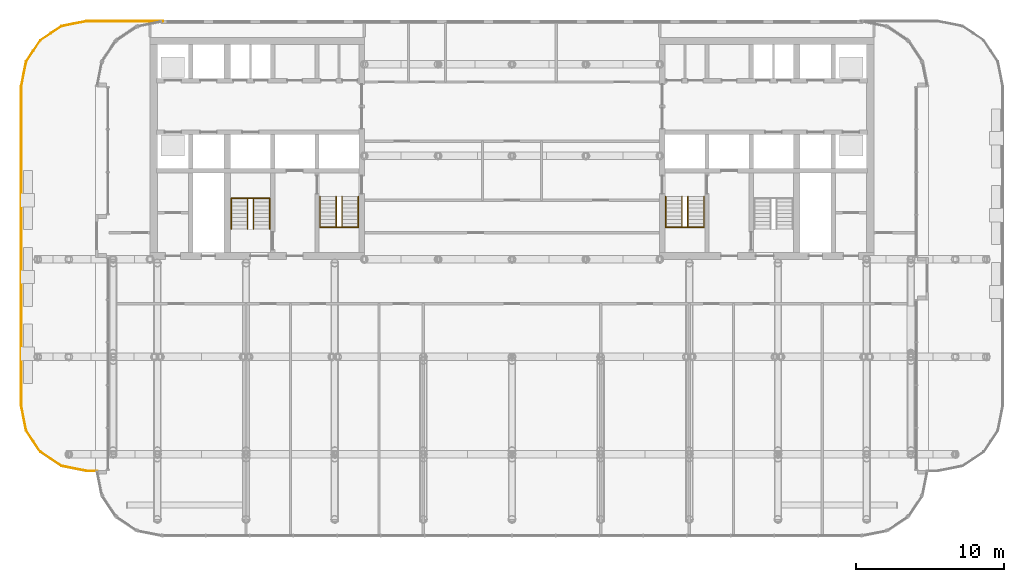
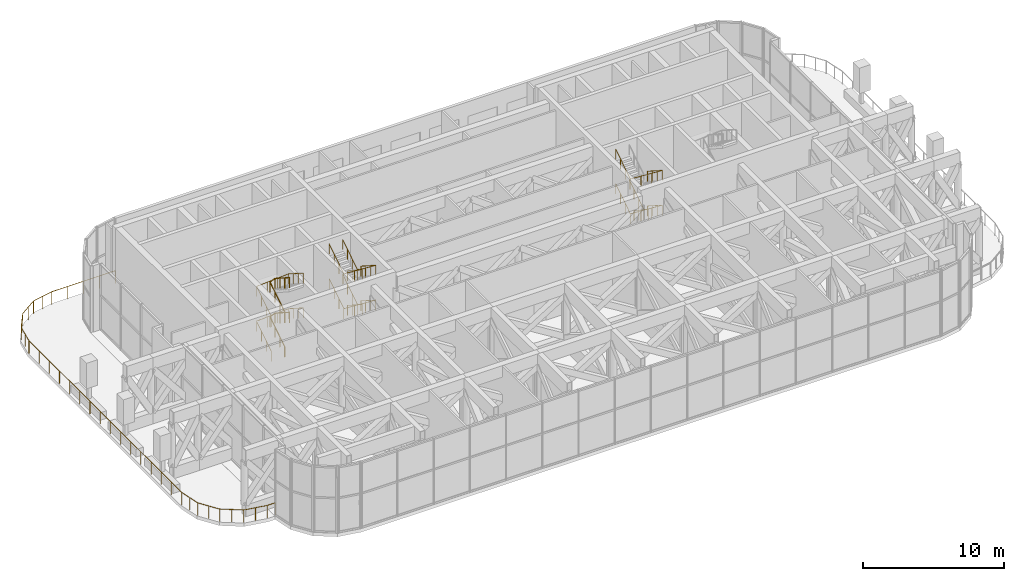
# One storey, part 22 of 25: 12 railings.
"""IFC4 building model written with IfcOpenShell, lengths in metres."""

from ifc_helpers import new_model, si_unit, direction, frame, origin, origin_2d, place, context, subcontext, project, spatial, circle, extrude, material, type_object, element, save


model = new_model("IFC4")

# Units and contexts
model_context = context("Model", 3, precision=1e-05, world=origin(), true_north=direction((0.0, 1.0)))
body_context = subcontext(model_context, "Body", "Model", "MODEL_VIEW")
ifc_project = project(units=[si_unit("LENGTHUNIT", "METRE"), si_unit("AREAUNIT", "SQUARE_METRE"), si_unit("VOLUMEUNIT", "CUBIC_METRE"), si_unit("PLANEANGLEUNIT", "RADIAN"), si_unit("MASSUNIT", "GRAM", prefix="KILO")], contexts=[model_context])

# Site, building, storey
site_placement = place(None, origin())
site = spatial("IfcSite", under=ifc_project, at=site_placement, CompositionType="ELEMENT")
building_placement = place(site_placement, origin())
building = spatial("IfcBuilding", under=site, at=building_placement, Name="Torana Hotel and Residences", CompositionType="ELEMENT")
storey_placement = place(building_placement, frame((0.0, 0.0, 106.800048828125)))
storey = spatial("IfcBuildingStorey", under=building, at=storey_placement, Name="L27", CompositionType="ELEMENT", Elevation=106.800048828125)

# Railings
ifc_material_1 = material(Name="Laminated glass balustrade with black handrail", Category="glass")
railing_type_1 = type_object("IfcRailingType", Name="GR1 BALCONY GUARD 1100 GLASS", PredefinedType="GUARDRAIL", material=ifc_material_1)
railing_1_placement = place(storey_placement, frame((-28.10107421875, -29.320068359375, 0.0)))
element("IfcRailing", 1, at=railing_1_placement, inside=storey, type_object=railing_type_1, Name="Terrace guard L27 2", PredefinedType="GUARDRAIL", context=body_context, shape_type="SweptSolid", body=[
    extrude(circle(Radius=0.02392578125, at=origin_2d()), frame((0.0, 0.0, 1.076171875), z_axis=(-1.0, 0.0, 0.0), x_axis=(0.0, -1.0, 0.0)), (0.0, 0.0, 1.0), 0.69091796875),
    extrude(circle(Radius=0.02392578125, at=origin_2d()), frame((-0.69091796875, 0.0, 1.076171875), z_axis=(-0.980791513817, 0.195058981912, 0.0), x_axis=(-0.195058981912, -0.980791513817, 0.0)), (0.0, 0.0, 1.0), 1.732177734375),
    extrude(circle(Radius=0.02392578125, at=origin_2d()), frame((-2.389892578125, 0.337890625, 1.076171875), z_axis=(-0.831461551283, 0.555582296999, 0.0), x_axis=(-0.555582296999, -0.831461551283, 0.0)), (0.0, 0.0, 1.0), 1.723876953125),
    extrude(circle(Radius=0.02392578125, at=origin_2d()), frame((-3.8232421875, 1.295654296875, 1.076171875), z_axis=(-0.555516881458, 0.831505258201, 0.0), x_axis=(-0.831505258201, -0.555516881458, 0.0)), (0.0, 0.0, 1.0), 1.72412109375),
    extrude(circle(Radius=0.02392578125, at=origin_2d()), frame((-4.781005859375, 2.729248046875, 1.076171875), z_axis=(-0.195085948833, 0.980786150273, 0.0), x_axis=(-0.980786150273, -0.195085948833, 0.0)), (0.0, 0.0, 1.0), 1.73193359375),
    extrude(circle(Radius=0.02392578125, at=origin_2d()), frame((-5.118896484375, 4.427978515625, 1.076171875), z_axis=(0.0, 1.0, 0.0), x_axis=(-1.0, 0.0, 0.0)), (0.0, 0.0, 1.0), 21.584228515625),
    extrude(circle(Radius=0.02392578125, at=origin_2d()), frame((-5.118896484375, 26.01220703125, 1.076171875), z_axis=(0.195085948833, 0.980786150273, 0.0), x_axis=(-0.980786150273, 0.195085948833, 0.0)), (0.0, 0.0, 1.0), 1.73193359375),
    extrude(circle(Radius=0.02392578125, at=origin_2d()), frame((-4.781005859375, 27.7109375, 1.076171875), z_axis=(0.555582296999, 0.831461551283, 0.0), x_axis=(-0.831461551283, 0.555582296999, 0.0)), (0.0, 0.0, 1.0), 1.723876953125),
    extrude(circle(Radius=0.02392578125, at=origin_2d()), frame((-3.8232421875, 29.144287109375, 1.076171875), z_axis=(0.831461551283, 0.555582296999, 0.0), x_axis=(-0.555582296999, 0.831461551283, 0.0)), (0.0, 0.0, 1.0), 1.723876953125),
    extrude(circle(Radius=0.02392578125, at=origin_2d()), frame((-2.389892578125, 30.10205078125, 1.076171875), z_axis=(0.980764541921, 0.195194552459, 0.0), x_axis=(-0.195194552459, 0.980764541921, 0.0)), (0.0, 0.0, 1.0), 1.732177734375),
    extrude(circle(Radius=0.02392578125, at=origin_2d()), frame((-0.69091796875, 30.440185546875, 1.076171875), z_axis=(1.0, 0.0, 0.0), x_axis=(0.0, 1.0, 0.0)), (0.0, 0.0, 1.0), 5.1669921875),
    extrude(circle(Radius=0.02099609375, at=origin_2d()), origin(), (0.0, 0.0, 1.0), 1.052001953125),
    extrude(circle(Radius=0.02099609375, at=origin_2d()), frame((-0.69091796875, 0.0, 0.0)), (0.0, 0.0, 1.0), 1.052001953125),
    extrude(circle(Radius=0.02099609375, at=origin_2d()), frame((-1.54052734375, 0.1689453125, 0.0)), (0.0, 0.0, 1.0), 1.052001953125),
    extrude(circle(Radius=0.02099609375, at=origin_2d()), frame((-2.389892578125, 0.337890625, 0.0)), (0.0, 0.0, 1.0), 1.052001953125),
    extrude(circle(Radius=0.02099609375, at=origin_2d()), frame((-3.1064453125, 0.81689453125, 0.0)), (0.0, 0.0, 1.0), 1.052001953125),
    extrude(circle(Radius=0.02099609375, at=origin_2d()), frame((-3.8232421875, 1.295654296875, 0.0)), (0.0, 0.0, 1.0), 1.052001953125),
    extrude(circle(Radius=0.02099609375, at=origin_2d()), frame((-4.30224609375, 2.012451171875, 0.0)), (0.0, 0.0, 1.0), 1.052001953125),
    extrude(circle(Radius=0.02099609375, at=origin_2d()), frame((-4.781005859375, 2.729248046875, 0.0)), (0.0, 0.0, 1.0), 1.052001953125),
    extrude(circle(Radius=0.02099609375, at=origin_2d()), frame((-4.949951171875, 3.57861328125, 0.0)), (0.0, 0.0, 1.0), 1.052001953125),
    extrude(circle(Radius=0.02099609375, at=origin_2d()), frame((-5.118896484375, 4.427978515625, 0.0)), (0.0, 0.0, 1.0), 1.052001953125),
    extrude(circle(Radius=0.02099609375, at=origin_2d()), frame((-5.118896484375, 5.866943359375, 0.0)), (0.0, 0.0, 1.0), 1.052001953125),
    extrude(circle(Radius=0.02099609375, at=origin_2d()), frame((-5.118896484375, 7.305908203125, 0.0)), (0.0, 0.0, 1.0), 1.052001953125),
    extrude(circle(Radius=0.02099609375, at=origin_2d()), frame((-5.118896484375, 8.744873046875, 0.0)), (0.0, 0.0, 1.0), 1.052001953125),
    extrude(circle(Radius=0.02099609375, at=origin_2d()), frame((-5.118896484375, 10.183837890625, 0.0)), (0.0, 0.0, 1.0), 1.052001953125),
    extrude(circle(Radius=0.02099609375, at=origin_2d()), frame((-5.118896484375, 11.622802734375, 0.0)), (0.0, 0.0, 1.0), 1.052001953125),
    extrude(circle(Radius=0.02099609375, at=origin_2d()), frame((-5.118896484375, 13.061767578125, 0.0)), (0.0, 0.0, 1.0), 1.052001953125),
    extrude(circle(Radius=0.02099609375, at=origin_2d()), frame((-5.118896484375, 14.500732421875, 0.0)), (0.0, 0.0, 1.0), 1.052001953125),
    extrude(circle(Radius=0.02099609375, at=origin_2d()), frame((-5.118896484375, 15.939453125, 0.0)), (0.0, 0.0, 1.0), 1.052001953125),
    extrude(circle(Radius=0.02099609375, at=origin_2d()), frame((-5.118896484375, 17.37841796875, 0.0)), (0.0, 0.0, 1.0), 1.052001953125),
    extrude(circle(Radius=0.02099609375, at=origin_2d()), frame((-5.118896484375, 18.8173828125, 0.0)), (0.0, 0.0, 1.0), 1.052001953125),
    extrude(circle(Radius=0.02099609375, at=origin_2d()), frame((-5.118896484375, 20.25634765625, 0.0)), (0.0, 0.0, 1.0), 1.052001953125),
    extrude(circle(Radius=0.02099609375, at=origin_2d()), frame((-5.118896484375, 21.6953125, 0.0)), (0.0, 0.0, 1.0), 1.052001953125),
    extrude(circle(Radius=0.02099609375, at=origin_2d()), frame((-5.118896484375, 23.13427734375, 0.0)), (0.0, 0.0, 1.0), 1.052001953125),
    extrude(circle(Radius=0.02099609375, at=origin_2d()), frame((-5.118896484375, 24.5732421875, 0.0)), (0.0, 0.0, 1.0), 1.052001953125),
    extrude(circle(Radius=0.02099609375, at=origin_2d()), frame((-5.118896484375, 26.01220703125, 0.0)), (0.0, 0.0, 1.0), 1.052001953125),
    extrude(circle(Radius=0.02099609375, at=origin_2d()), frame((-4.949951171875, 26.861572265625, 0.0)), (0.0, 0.0, 1.0), 1.052001953125),
    extrude(circle(Radius=0.02099609375, at=origin_2d()), frame((-4.781005859375, 27.7109375, 0.0)), (0.0, 0.0, 1.0), 1.052001953125),
    extrude(circle(Radius=0.02099609375, at=origin_2d()), frame((-4.30224609375, 28.427734375, 0.0)), (0.0, 0.0, 1.0), 1.052001953125),
    extrude(circle(Radius=0.02099609375, at=origin_2d()), frame((-3.8232421875, 29.144287109375, 0.0)), (0.0, 0.0, 1.0), 1.052001953125),
    extrude(circle(Radius=0.02099609375, at=origin_2d()), frame((-3.1064453125, 29.623046875, 0.0)), (0.0, 0.0, 1.0), 1.052001953125),
    extrude(circle(Radius=0.02099609375, at=origin_2d()), frame((-2.389892578125, 30.10205078125, 0.0)), (0.0, 0.0, 1.0), 1.052001953125),
    extrude(circle(Radius=0.02099609375, at=origin_2d()), frame((-1.54052734375, 30.27099609375, 0.0)), (0.0, 0.0, 1.0), 1.052001953125),
    extrude(circle(Radius=0.02099609375, at=origin_2d()), frame((-0.69091796875, 30.440185546875, 0.0)), (0.0, 0.0, 1.0), 1.052001953125),
    extrude(circle(Radius=0.02099609375, at=origin_2d()), frame((0.600830078125, 30.440185546875, 0.0)), (0.0, 0.0, 1.0), 1.052001953125),
    extrude(circle(Radius=0.02099609375, at=origin_2d()), frame((1.892578125, 30.440185546875, 0.0)), (0.0, 0.0, 1.0), 1.052001953125),
    extrude(circle(Radius=0.02099609375, at=origin_2d()), frame((3.184326171875, 30.440185546875, 0.0)), (0.0, 0.0, 1.0), 1.052001953125),
    extrude(circle(Radius=0.02099609375, at=origin_2d()), frame((4.47607421875, 30.440185546875, 0.0)), (0.0, 0.0, 1.0), 1.052001953125),
])
ifc_material_2 = material(Name="Stainless steel 316", Category="steel")
railing_type_2 = type_object("IfcRailingType", Name="STAIR HANDRAIL HR1 900", PredefinedType="HANDRAIL", material=ifc_material_2)
railing_2_placement = place(storey_placement, frame((-10.39990234375, -10.75, 0.166748046875)))
element("IfcRailing", 2, at=railing_2_placement, inside=storey, type_object=railing_type_2, Name="Handrail ST1 L27 O1", PredefinedType="HANDRAIL", context=body_context, shape_type="SweptSolid", body=[
    extrude(circle(Radius=0.02392578125, at=origin_2d()), frame((0.0, 0.0, 0.8759765625), z_axis=(0.0, -0.841903312325, 0.539628402418), x_axis=(1.0, 0.0, 0.0)), (0.0, 0.0, 1.0), 2.470703125),
    extrude(circle(Radius=0.02392578125, at=origin_2d()), frame((0.0, -2.080078125, 2.208984375), z_axis=(-0.997949899857, 0.0, 0.063999979493), x_axis=(0.0, -1.0, 0.0)), (0.0, 0.0, 1.0), 2.60546875),
    extrude(circle(Radius=0.02392578125, at=origin_2d()), frame((-2.60009765625, -2.080078125, 2.3759765625), z_axis=(0.0, 0.841903312325, 0.539628402418), x_axis=(-1.0, 0.0, 0.0)), (0.0, 0.0, 1.0), 2.470703125),
    extrude(circle(Radius=0.02099609375, at=origin_2d()), origin(), (0.0, 0.0, 1.0), 0.851806640625),
    extrude(circle(Radius=0.02099609375, at=origin_2d()), frame((0.0, -0.693359375, 0.4443359375)), (0.0, 0.0, 1.0), 0.851806640625),
    extrude(circle(Radius=0.02099609375, at=origin_2d()), frame((0.0, -1.38671875, 0.888916015625)), (0.0, 0.0, 1.0), 0.851806640625),
    extrude(circle(Radius=0.02099609375, at=origin_2d()), frame((0.0, -2.080078125, 1.333251953125)), (0.0, 0.0, 1.0), 0.851806640625),
    extrude(circle(Radius=0.02099609375, at=origin_2d()), frame((-0.86669921875, -2.080078125, 1.388916015625)), (0.0, 0.0, 1.0), 0.851806640625),
    extrude(circle(Radius=0.02099609375, at=origin_2d()), frame((-1.7333984375, -2.080078125, 1.4443359375)), (0.0, 0.0, 1.0), 0.851806640625),
    extrude(circle(Radius=0.02099609375, at=origin_2d()), frame((-2.60009765625, -2.080078125, 1.5)), (0.0, 0.0, 1.0), 0.851806640625),
    extrude(circle(Radius=0.02099609375, at=origin_2d()), frame((-2.60009765625, -1.38671875, 1.9443359375)), (0.0, 0.0, 1.0), 0.851806640625),
    extrude(circle(Radius=0.02099609375, at=origin_2d()), frame((-2.60009765625, -0.693359375, 2.388916015625)), (0.0, 0.0, 1.0), 0.851806640625),
    extrude(circle(Radius=0.02099609375, at=origin_2d()), frame((-2.60009765625, 0.0, 2.833251953125)), (0.0, 0.0, 1.0), 0.851806640625),
])
railing_3_placement = place(storey_placement, frame((-11.5, -10.75, 0.166748046875)))
element("IfcRailing", 3, at=railing_3_placement, inside=storey, type_object=railing_type_2, Name="Handrail ST1 L27 I1", PredefinedType="HANDRAIL", context=body_context, shape_type="SweptSolid", body=[
    extrude(circle(Radius=0.02392578125, at=origin_2d()), frame((0.0, 0.0, 0.8759765625), z_axis=(0.0, -0.841903312325, 0.539628402418), x_axis=(1.0, 0.0, 0.0)), (0.0, 0.0, 1.0), 2.470703125),
    extrude(circle(Radius=0.02392578125, at=origin_2d()), frame((0.0, -2.080078125, 2.208984375), z_axis=(-0.922976866191, 0.0, 0.384855433216), x_axis=(0.0, -1.0, 0.0)), (0.0, 0.0, 1.0), 0.433349609375),
    extrude(circle(Radius=0.02392578125, at=origin_2d()), frame((-0.39990234375, -2.080078125, 2.3759765625), z_axis=(0.0, 0.841903312325, 0.539628402418), x_axis=(-1.0, 0.0, 0.0)), (0.0, 0.0, 1.0), 2.470703125),
    extrude(circle(Radius=0.02099609375, at=origin_2d()), origin(), (0.0, 0.0, 1.0), 0.851806640625),
    extrude(circle(Radius=0.02099609375, at=origin_2d()), frame((0.0, -0.693359375, 0.4443359375)), (0.0, 0.0, 1.0), 0.851806640625),
    extrude(circle(Radius=0.02099609375, at=origin_2d()), frame((0.0, -1.38671875, 0.888916015625)), (0.0, 0.0, 1.0), 0.851806640625),
    extrude(circle(Radius=0.02099609375, at=origin_2d()), frame((0.0, -2.080078125, 1.333251953125)), (0.0, 0.0, 1.0), 0.851806640625),
    extrude(circle(Radius=0.02099609375, at=origin_2d()), frame((-0.39990234375, -2.080078125, 1.5)), (0.0, 0.0, 1.0), 0.851806640625),
    extrude(circle(Radius=0.02099609375, at=origin_2d()), frame((-0.39990234375, -1.38671875, 1.9443359375)), (0.0, 0.0, 1.0), 0.851806640625),
    extrude(circle(Radius=0.02099609375, at=origin_2d()), frame((-0.39990234375, -0.693359375, 2.388916015625)), (0.0, 0.0, 1.0), 0.851806640625),
    extrude(circle(Radius=0.02099609375, at=origin_2d()), frame((-0.39990234375, 0.0, 2.833251953125)), (0.0, 0.0, 1.0), 0.851806640625),
])
railing_4_placement = place(storey_placement, frame((-10.39990234375, -10.75, 3.166748046875)))
element("IfcRailing", 4, at=railing_4_placement, inside=storey, type_object=railing_type_2, Name="Handrail ST1 L27 O2", PredefinedType="HANDRAIL", context=body_context, shape_type="SweptSolid", body=[
    extrude(circle(Radius=0.02392578125, at=origin_2d()), frame((0.0, 0.0, 0.8759765625), z_axis=(0.0, -0.841903312325, 0.539628402418), x_axis=(1.0, 0.0, 0.0)), (0.0, 0.0, 1.0), 2.470703125),
    extrude(circle(Radius=0.02392578125, at=origin_2d()), frame((0.0, -2.080078125, 2.208984375), z_axis=(-0.997949899857, 0.0, 0.063999979493), x_axis=(0.0, -1.0, 0.0)), (0.0, 0.0, 1.0), 2.60546875),
    extrude(circle(Radius=0.02392578125, at=origin_2d()), frame((-2.60009765625, -2.080078125, 2.3759765625), z_axis=(0.0, 0.841903312325, 0.539628402418), x_axis=(-1.0, 0.0, 0.0)), (0.0, 0.0, 1.0), 2.470703125),
    extrude(circle(Radius=0.02099609375, at=origin_2d()), origin(), (0.0, 0.0, 1.0), 0.851806640625),
    extrude(circle(Radius=0.02099609375, at=origin_2d()), frame((0.0, -0.693359375, 0.4443359375)), (0.0, 0.0, 1.0), 0.851806640625),
    extrude(circle(Radius=0.02099609375, at=origin_2d()), frame((0.0, -1.38671875, 0.888916015625)), (0.0, 0.0, 1.0), 0.851806640625),
    extrude(circle(Radius=0.02099609375, at=origin_2d()), frame((0.0, -2.080078125, 1.333251953125)), (0.0, 0.0, 1.0), 0.851806640625),
    extrude(circle(Radius=0.02099609375, at=origin_2d()), frame((-0.86669921875, -2.080078125, 1.388916015625)), (0.0, 0.0, 1.0), 0.851806640625),
    extrude(circle(Radius=0.02099609375, at=origin_2d()), frame((-1.7333984375, -2.080078125, 1.4443359375)), (0.0, 0.0, 1.0), 0.851806640625),
    extrude(circle(Radius=0.02099609375, at=origin_2d()), frame((-2.60009765625, -2.080078125, 1.5)), (0.0, 0.0, 1.0), 0.851806640625),
    extrude(circle(Radius=0.02099609375, at=origin_2d()), frame((-2.60009765625, -1.38671875, 1.9443359375)), (0.0, 0.0, 1.0), 0.851806640625),
    extrude(circle(Radius=0.02099609375, at=origin_2d()), frame((-2.60009765625, -0.693359375, 2.388916015625)), (0.0, 0.0, 1.0), 0.851806640625),
    extrude(circle(Radius=0.02099609375, at=origin_2d()), frame((-2.60009765625, 0.0, 2.833251953125)), (0.0, 0.0, 1.0), 0.851806640625),
])
railing_5_placement = place(storey_placement, frame((-11.5, -10.75, 3.166748046875)))
element("IfcRailing", 5, at=railing_5_placement, inside=storey, type_object=railing_type_2, Name="Handrail ST1 L27 I2", PredefinedType="HANDRAIL", context=body_context, shape_type="SweptSolid", body=[
    extrude(circle(Radius=0.02392578125, at=origin_2d()), frame((0.0, 0.0, 0.8759765625), z_axis=(0.0, -0.841903312325, 0.539628402418), x_axis=(1.0, 0.0, 0.0)), (0.0, 0.0, 1.0), 2.470703125),
    extrude(circle(Radius=0.02392578125, at=origin_2d()), frame((0.0, -2.080078125, 2.208984375), z_axis=(-0.922976866191, 0.0, 0.384855433216), x_axis=(0.0, -1.0, 0.0)), (0.0, 0.0, 1.0), 0.433349609375),
    extrude(circle(Radius=0.02392578125, at=origin_2d()), frame((-0.39990234375, -2.080078125, 2.3759765625), z_axis=(0.0, 0.841903312325, 0.539628402418), x_axis=(-1.0, 0.0, 0.0)), (0.0, 0.0, 1.0), 2.470703125),
    extrude(circle(Radius=0.02099609375, at=origin_2d()), origin(), (0.0, 0.0, 1.0), 0.851806640625),
    extrude(circle(Radius=0.02099609375, at=origin_2d()), frame((0.0, -0.693359375, 0.4443359375)), (0.0, 0.0, 1.0), 0.851806640625),
    extrude(circle(Radius=0.02099609375, at=origin_2d()), frame((0.0, -1.38671875, 0.888916015625)), (0.0, 0.0, 1.0), 0.851806640625),
    extrude(circle(Radius=0.02099609375, at=origin_2d()), frame((0.0, -2.080078125, 1.333251953125)), (0.0, 0.0, 1.0), 0.851806640625),
    extrude(circle(Radius=0.02099609375, at=origin_2d()), frame((-0.39990234375, -2.080078125, 1.5)), (0.0, 0.0, 1.0), 0.851806640625),
    extrude(circle(Radius=0.02099609375, at=origin_2d()), frame((-0.39990234375, -1.38671875, 1.9443359375)), (0.0, 0.0, 1.0), 0.851806640625),
    extrude(circle(Radius=0.02099609375, at=origin_2d()), frame((-0.39990234375, -0.693359375, 2.388916015625)), (0.0, 0.0, 1.0), 0.851806640625),
    extrude(circle(Radius=0.02099609375, at=origin_2d()), frame((-0.39990234375, 0.0, 2.833251953125)), (0.0, 0.0, 1.0), 0.851806640625),
])
railing_6_placement = place(storey_placement, frame((-19.0, -12.949951171875, 0.166748046875)))
element("IfcRailing", 6, at=railing_6_placement, inside=storey, type_object=railing_type_2, Name="Handrail ST2 L27 O1", PredefinedType="HANDRAIL", context=body_context, shape_type="SweptSolid", body=[
    extrude(circle(Radius=0.02392578125, at=origin_2d()), frame((0.0, 0.0, 0.8759765625), z_axis=(0.0, 0.84187453394, 0.539673298491), x_axis=(-1.0, 0.0, 0.0)), (0.0, 0.0, 1.0), 2.470458984375),
    extrude(circle(Radius=0.02392578125, at=origin_2d()), frame((0.0, 2.079833984375, 2.208984375), z_axis=(0.997949899857, 0.0, 0.063999979493), x_axis=(0.0, 1.0, 0.0)), (0.0, 0.0, 1.0), 2.60546875),
    extrude(circle(Radius=0.02392578125, at=origin_2d()), frame((2.60009765625, 2.079833984375, 2.3759765625), z_axis=(0.0, -0.84187453394, 0.539673298491), x_axis=(1.0, 0.0, 0.0)), (0.0, 0.0, 1.0), 2.470458984375),
    extrude(circle(Radius=0.02099609375, at=origin_2d()), origin(), (0.0, 0.0, 1.0), 0.851806640625),
    extrude(circle(Radius=0.02099609375, at=origin_2d()), frame((0.0, 0.693359375, 0.4443359375)), (0.0, 0.0, 1.0), 0.851806640625),
    extrude(circle(Radius=0.02099609375, at=origin_2d()), frame((0.0, 1.386474609375, 0.888916015625)), (0.0, 0.0, 1.0), 0.851806640625),
    extrude(circle(Radius=0.02099609375, at=origin_2d()), frame((0.0, 2.079833984375, 1.333251953125)), (0.0, 0.0, 1.0), 0.851806640625),
    extrude(circle(Radius=0.02099609375, at=origin_2d()), frame((0.86669921875, 2.079833984375, 1.388916015625)), (0.0, 0.0, 1.0), 0.851806640625),
    extrude(circle(Radius=0.02099609375, at=origin_2d()), frame((1.7333984375, 2.079833984375, 1.4443359375)), (0.0, 0.0, 1.0), 0.851806640625),
    extrude(circle(Radius=0.02099609375, at=origin_2d()), frame((2.60009765625, 2.079833984375, 1.5)), (0.0, 0.0, 1.0), 0.851806640625),
    extrude(circle(Radius=0.02099609375, at=origin_2d()), frame((2.60009765625, 1.386474609375, 1.9443359375)), (0.0, 0.0, 1.0), 0.851806640625),
    extrude(circle(Radius=0.02099609375, at=origin_2d()), frame((2.60009765625, 0.693359375, 2.388916015625)), (0.0, 0.0, 1.0), 0.851806640625),
    extrude(circle(Radius=0.02099609375, at=origin_2d()), frame((2.60009765625, 0.0, 2.833251953125)), (0.0, 0.0, 1.0), 0.851806640625),
])
railing_7_placement = place(storey_placement, frame((-17.89990234375, -12.949951171875, 0.166748046875)))
element("IfcRailing", 7, at=railing_7_placement, inside=storey, type_object=railing_type_2, Name="Handrail ST2 L27 I1", PredefinedType="HANDRAIL", context=body_context, shape_type="SweptSolid", body=[
    extrude(circle(Radius=0.02392578125, at=origin_2d()), frame((0.0, 0.0, 0.8759765625), z_axis=(0.0, 0.84187453394, 0.539673298491), x_axis=(-1.0, 0.0, 0.0)), (0.0, 0.0, 1.0), 2.470458984375),
    extrude(circle(Radius=0.02392578125, at=origin_2d()), frame((0.0, 2.079833984375, 2.208984375), z_axis=(0.922976866191, 0.0, 0.384855433216), x_axis=(0.0, 1.0, 0.0)), (0.0, 0.0, 1.0), 0.433349609375),
    extrude(circle(Radius=0.02392578125, at=origin_2d()), frame((0.39990234375, 2.079833984375, 2.3759765625), z_axis=(0.0, -0.84187453394, 0.539673298491), x_axis=(1.0, 0.0, 0.0)), (0.0, 0.0, 1.0), 2.470458984375),
    extrude(circle(Radius=0.02099609375, at=origin_2d()), origin(), (0.0, 0.0, 1.0), 0.851806640625),
    extrude(circle(Radius=0.02099609375, at=origin_2d()), frame((0.0, 0.693359375, 0.4443359375)), (0.0, 0.0, 1.0), 0.851806640625),
    extrude(circle(Radius=0.02099609375, at=origin_2d()), frame((0.0, 1.386474609375, 0.888916015625)), (0.0, 0.0, 1.0), 0.851806640625),
    extrude(circle(Radius=0.02099609375, at=origin_2d()), frame((0.0, 2.079833984375, 1.333251953125)), (0.0, 0.0, 1.0), 0.851806640625),
    extrude(circle(Radius=0.02099609375, at=origin_2d()), frame((0.39990234375, 2.079833984375, 1.5)), (0.0, 0.0, 1.0), 0.851806640625),
    extrude(circle(Radius=0.02099609375, at=origin_2d()), frame((0.39990234375, 1.386474609375, 1.9443359375)), (0.0, 0.0, 1.0), 0.851806640625),
    extrude(circle(Radius=0.02099609375, at=origin_2d()), frame((0.39990234375, 0.693359375, 2.388916015625)), (0.0, 0.0, 1.0), 0.851806640625),
    extrude(circle(Radius=0.02099609375, at=origin_2d()), frame((0.39990234375, 0.0, 2.833251953125)), (0.0, 0.0, 1.0), 0.851806640625),
])
railing_8_placement = place(storey_placement, frame((-19.0, -12.949951171875, 3.166748046875)))
element("IfcRailing", 8, at=railing_8_placement, inside=storey, type_object=railing_type_2, Name="Handrail ST2 L27 O2", PredefinedType="HANDRAIL", context=body_context, shape_type="SweptSolid", body=[
    extrude(circle(Radius=0.02392578125, at=origin_2d()), frame((0.0, 0.0, 0.8759765625), z_axis=(0.0, 0.84187453394, 0.539673298491), x_axis=(-1.0, 0.0, 0.0)), (0.0, 0.0, 1.0), 2.470458984375),
    extrude(circle(Radius=0.02392578125, at=origin_2d()), frame((0.0, 2.079833984375, 2.208984375), z_axis=(0.997949899857, 0.0, 0.063999979493), x_axis=(0.0, 1.0, 0.0)), (0.0, 0.0, 1.0), 2.60546875),
    extrude(circle(Radius=0.02392578125, at=origin_2d()), frame((2.60009765625, 2.079833984375, 2.3759765625), z_axis=(0.0, -0.84187453394, 0.539673298491), x_axis=(1.0, 0.0, 0.0)), (0.0, 0.0, 1.0), 2.470458984375),
    extrude(circle(Radius=0.02099609375, at=origin_2d()), origin(), (0.0, 0.0, 1.0), 0.851806640625),
    extrude(circle(Radius=0.02099609375, at=origin_2d()), frame((0.0, 0.693359375, 0.4443359375)), (0.0, 0.0, 1.0), 0.851806640625),
    extrude(circle(Radius=0.02099609375, at=origin_2d()), frame((0.0, 1.386474609375, 0.888916015625)), (0.0, 0.0, 1.0), 0.851806640625),
    extrude(circle(Radius=0.02099609375, at=origin_2d()), frame((0.0, 2.079833984375, 1.333251953125)), (0.0, 0.0, 1.0), 0.851806640625),
    extrude(circle(Radius=0.02099609375, at=origin_2d()), frame((0.86669921875, 2.079833984375, 1.388916015625)), (0.0, 0.0, 1.0), 0.851806640625),
    extrude(circle(Radius=0.02099609375, at=origin_2d()), frame((1.7333984375, 2.079833984375, 1.4443359375)), (0.0, 0.0, 1.0), 0.851806640625),
    extrude(circle(Radius=0.02099609375, at=origin_2d()), frame((2.60009765625, 2.079833984375, 1.5)), (0.0, 0.0, 1.0), 0.851806640625),
    extrude(circle(Radius=0.02099609375, at=origin_2d()), frame((2.60009765625, 1.386474609375, 1.9443359375)), (0.0, 0.0, 1.0), 0.851806640625),
    extrude(circle(Radius=0.02099609375, at=origin_2d()), frame((2.60009765625, 0.693359375, 2.388916015625)), (0.0, 0.0, 1.0), 0.851806640625),
    extrude(circle(Radius=0.02099609375, at=origin_2d()), frame((2.60009765625, 0.0, 2.833251953125)), (0.0, 0.0, 1.0), 0.851806640625),
])
railing_9_placement = place(storey_placement, frame((-17.89990234375, -12.949951171875, 3.166748046875)))
element("IfcRailing", 9, at=railing_9_placement, inside=storey, type_object=railing_type_2, Name="Handrail ST2 L27 I2", PredefinedType="HANDRAIL", context=body_context, shape_type="SweptSolid", body=[
    extrude(circle(Radius=0.02392578125, at=origin_2d()), frame((0.0, 0.0, 0.8759765625), z_axis=(0.0, 0.84187453394, 0.539673298491), x_axis=(-1.0, 0.0, 0.0)), (0.0, 0.0, 1.0), 2.470458984375),
    extrude(circle(Radius=0.02392578125, at=origin_2d()), frame((0.0, 2.079833984375, 2.208984375), z_axis=(0.922976866191, 0.0, 0.384855433216), x_axis=(0.0, 1.0, 0.0)), (0.0, 0.0, 1.0), 0.433349609375),
    extrude(circle(Radius=0.02392578125, at=origin_2d()), frame((0.39990234375, 2.079833984375, 2.3759765625), z_axis=(0.0, -0.84187453394, 0.539673298491), x_axis=(1.0, 0.0, 0.0)), (0.0, 0.0, 1.0), 2.470458984375),
    extrude(circle(Radius=0.02099609375, at=origin_2d()), origin(), (0.0, 0.0, 1.0), 0.851806640625),
    extrude(circle(Radius=0.02099609375, at=origin_2d()), frame((0.0, 0.693359375, 0.4443359375)), (0.0, 0.0, 1.0), 0.851806640625),
    extrude(circle(Radius=0.02099609375, at=origin_2d()), frame((0.0, 1.386474609375, 0.888916015625)), (0.0, 0.0, 1.0), 0.851806640625),
    extrude(circle(Radius=0.02099609375, at=origin_2d()), frame((0.0, 2.079833984375, 1.333251953125)), (0.0, 0.0, 1.0), 0.851806640625),
    extrude(circle(Radius=0.02099609375, at=origin_2d()), frame((0.39990234375, 2.079833984375, 1.5)), (0.0, 0.0, 1.0), 0.851806640625),
    extrude(circle(Radius=0.02099609375, at=origin_2d()), frame((0.39990234375, 1.386474609375, 1.9443359375)), (0.0, 0.0, 1.0), 0.851806640625),
    extrude(circle(Radius=0.02099609375, at=origin_2d()), frame((0.39990234375, 0.693359375, 2.388916015625)), (0.0, 0.0, 1.0), 0.851806640625),
    extrude(circle(Radius=0.02099609375, at=origin_2d()), frame((0.39990234375, 0.0, 2.833251953125)), (0.0, 0.0, 1.0), 0.851806640625),
])
railing_10_placement = place(storey_placement, frame((13.0, -10.75, 0.166748046875)))
element("IfcRailing", 10, at=railing_10_placement, inside=storey, type_object=railing_type_2, Name="Handrail ST3 L27 O1", PredefinedType="HANDRAIL", context=body_context, shape_type="SweptSolid", body=[
    extrude(circle(Radius=0.02392578125, at=origin_2d()), frame((0.0, 0.0, 0.8759765625), z_axis=(0.0, -0.841903312325, 0.539628402418), x_axis=(1.0, 0.0, 0.0)), (0.0, 0.0, 1.0), 2.470703125),
    extrude(circle(Radius=0.02392578125, at=origin_2d()), frame((0.0, -2.080078125, 2.208984375), z_axis=(-0.997949899857, 0.0, 0.063999979493), x_axis=(0.0, -1.0, 0.0)), (0.0, 0.0, 1.0), 2.60546875),
    extrude(circle(Radius=0.02392578125, at=origin_2d()), frame((-2.60009765625, -2.080078125, 2.3759765625), z_axis=(0.0, 0.841903312325, 0.539628402418), x_axis=(-1.0, 0.0, 0.0)), (0.0, 0.0, 1.0), 2.470703125),
    extrude(circle(Radius=0.02099609375, at=origin_2d()), origin(), (0.0, 0.0, 1.0), 0.851806640625),
    extrude(circle(Radius=0.02099609375, at=origin_2d()), frame((0.0, -0.693359375, 0.4443359375)), (0.0, 0.0, 1.0), 0.851806640625),
    extrude(circle(Radius=0.02099609375, at=origin_2d()), frame((0.0, -1.38671875, 0.888916015625)), (0.0, 0.0, 1.0), 0.851806640625),
    extrude(circle(Radius=0.02099609375, at=origin_2d()), frame((0.0, -2.080078125, 1.333251953125)), (0.0, 0.0, 1.0), 0.851806640625),
    extrude(circle(Radius=0.02099609375, at=origin_2d()), frame((-0.86669921875, -2.080078125, 1.388916015625)), (0.0, 0.0, 1.0), 0.851806640625),
    extrude(circle(Radius=0.02099609375, at=origin_2d()), frame((-1.7333984375, -2.080078125, 1.4443359375)), (0.0, 0.0, 1.0), 0.851806640625),
    extrude(circle(Radius=0.02099609375, at=origin_2d()), frame((-2.60009765625, -2.080078125, 1.5)), (0.0, 0.0, 1.0), 0.851806640625),
    extrude(circle(Radius=0.02099609375, at=origin_2d()), frame((-2.60009765625, -1.38671875, 1.9443359375)), (0.0, 0.0, 1.0), 0.851806640625),
    extrude(circle(Radius=0.02099609375, at=origin_2d()), frame((-2.60009765625, -0.693359375, 2.388916015625)), (0.0, 0.0, 1.0), 0.851806640625),
    extrude(circle(Radius=0.02099609375, at=origin_2d()), frame((-2.60009765625, 0.0, 2.833251953125)), (0.0, 0.0, 1.0), 0.851806640625),
])
railing_11_placement = place(storey_placement, frame((11.89990234375, -10.75, 0.166748046875)))
element("IfcRailing", 11, at=railing_11_placement, inside=storey, type_object=railing_type_2, Name="Handrail ST3 L27 I1", PredefinedType="HANDRAIL", context=body_context, shape_type="SweptSolid", body=[
    extrude(circle(Radius=0.02392578125, at=origin_2d()), frame((0.0, 0.0, 0.8759765625), z_axis=(0.0, -0.841903312325, 0.539628402418), x_axis=(1.0, 0.0, 0.0)), (0.0, 0.0, 1.0), 2.470703125),
    extrude(circle(Radius=0.02392578125, at=origin_2d()), frame((0.0, -2.080078125, 2.208984375), z_axis=(-0.922976866191, 0.0, 0.384855433216), x_axis=(0.0, -1.0, 0.0)), (0.0, 0.0, 1.0), 0.433349609375),
    extrude(circle(Radius=0.02392578125, at=origin_2d()), frame((-0.39990234375, -2.080078125, 2.3759765625), z_axis=(0.0, 0.841903312325, 0.539628402418), x_axis=(-1.0, 0.0, 0.0)), (0.0, 0.0, 1.0), 2.470703125),
    extrude(circle(Radius=0.02099609375, at=origin_2d()), origin(), (0.0, 0.0, 1.0), 0.851806640625),
    extrude(circle(Radius=0.02099609375, at=origin_2d()), frame((0.0, -0.693359375, 0.4443359375)), (0.0, 0.0, 1.0), 0.851806640625),
    extrude(circle(Radius=0.02099609375, at=origin_2d()), frame((0.0, -1.38671875, 0.888916015625)), (0.0, 0.0, 1.0), 0.851806640625),
    extrude(circle(Radius=0.02099609375, at=origin_2d()), frame((0.0, -2.080078125, 1.333251953125)), (0.0, 0.0, 1.0), 0.851806640625),
    extrude(circle(Radius=0.02099609375, at=origin_2d()), frame((-0.39990234375, -2.080078125, 1.5)), (0.0, 0.0, 1.0), 0.851806640625),
    extrude(circle(Radius=0.02099609375, at=origin_2d()), frame((-0.39990234375, -1.38671875, 1.9443359375)), (0.0, 0.0, 1.0), 0.851806640625),
    extrude(circle(Radius=0.02099609375, at=origin_2d()), frame((-0.39990234375, -0.693359375, 2.388916015625)), (0.0, 0.0, 1.0), 0.851806640625),
    extrude(circle(Radius=0.02099609375, at=origin_2d()), frame((-0.39990234375, 0.0, 2.833251953125)), (0.0, 0.0, 1.0), 0.851806640625),
])
railing_12_placement = place(storey_placement, frame((13.0, -10.75, 3.166748046875)))
element("IfcRailing", 12, at=railing_12_placement, inside=storey, type_object=railing_type_2, Name="Handrail ST3 L27 O2", PredefinedType="HANDRAIL", context=body_context, shape_type="SweptSolid", body=[
    extrude(circle(Radius=0.02392578125, at=origin_2d()), frame((0.0, 0.0, 0.8759765625), z_axis=(0.0, -0.841903312325, 0.539628402418), x_axis=(1.0, 0.0, 0.0)), (0.0, 0.0, 1.0), 2.470703125),
    extrude(circle(Radius=0.02392578125, at=origin_2d()), frame((0.0, -2.080078125, 2.208984375), z_axis=(-0.997949899857, 0.0, 0.063999979493), x_axis=(0.0, -1.0, 0.0)), (0.0, 0.0, 1.0), 2.60546875),
    extrude(circle(Radius=0.02392578125, at=origin_2d()), frame((-2.60009765625, -2.080078125, 2.3759765625), z_axis=(0.0, 0.841903312325, 0.539628402418), x_axis=(-1.0, 0.0, 0.0)), (0.0, 0.0, 1.0), 2.470703125),
    extrude(circle(Radius=0.02099609375, at=origin_2d()), origin(), (0.0, 0.0, 1.0), 0.851806640625),
    extrude(circle(Radius=0.02099609375, at=origin_2d()), frame((0.0, -0.693359375, 0.4443359375)), (0.0, 0.0, 1.0), 0.851806640625),
    extrude(circle(Radius=0.02099609375, at=origin_2d()), frame((0.0, -1.38671875, 0.888916015625)), (0.0, 0.0, 1.0), 0.851806640625),
    extrude(circle(Radius=0.02099609375, at=origin_2d()), frame((0.0, -2.080078125, 1.333251953125)), (0.0, 0.0, 1.0), 0.851806640625),
    extrude(circle(Radius=0.02099609375, at=origin_2d()), frame((-0.86669921875, -2.080078125, 1.388916015625)), (0.0, 0.0, 1.0), 0.851806640625),
    extrude(circle(Radius=0.02099609375, at=origin_2d()), frame((-1.7333984375, -2.080078125, 1.4443359375)), (0.0, 0.0, 1.0), 0.851806640625),
    extrude(circle(Radius=0.02099609375, at=origin_2d()), frame((-2.60009765625, -2.080078125, 1.5)), (0.0, 0.0, 1.0), 0.851806640625),
    extrude(circle(Radius=0.02099609375, at=origin_2d()), frame((-2.60009765625, -1.38671875, 1.9443359375)), (0.0, 0.0, 1.0), 0.851806640625),
    extrude(circle(Radius=0.02099609375, at=origin_2d()), frame((-2.60009765625, -0.693359375, 2.388916015625)), (0.0, 0.0, 1.0), 0.851806640625),
    extrude(circle(Radius=0.02099609375, at=origin_2d()), frame((-2.60009765625, 0.0, 2.833251953125)), (0.0, 0.0, 1.0), 0.851806640625),
])

save(model, "model.ifc")
